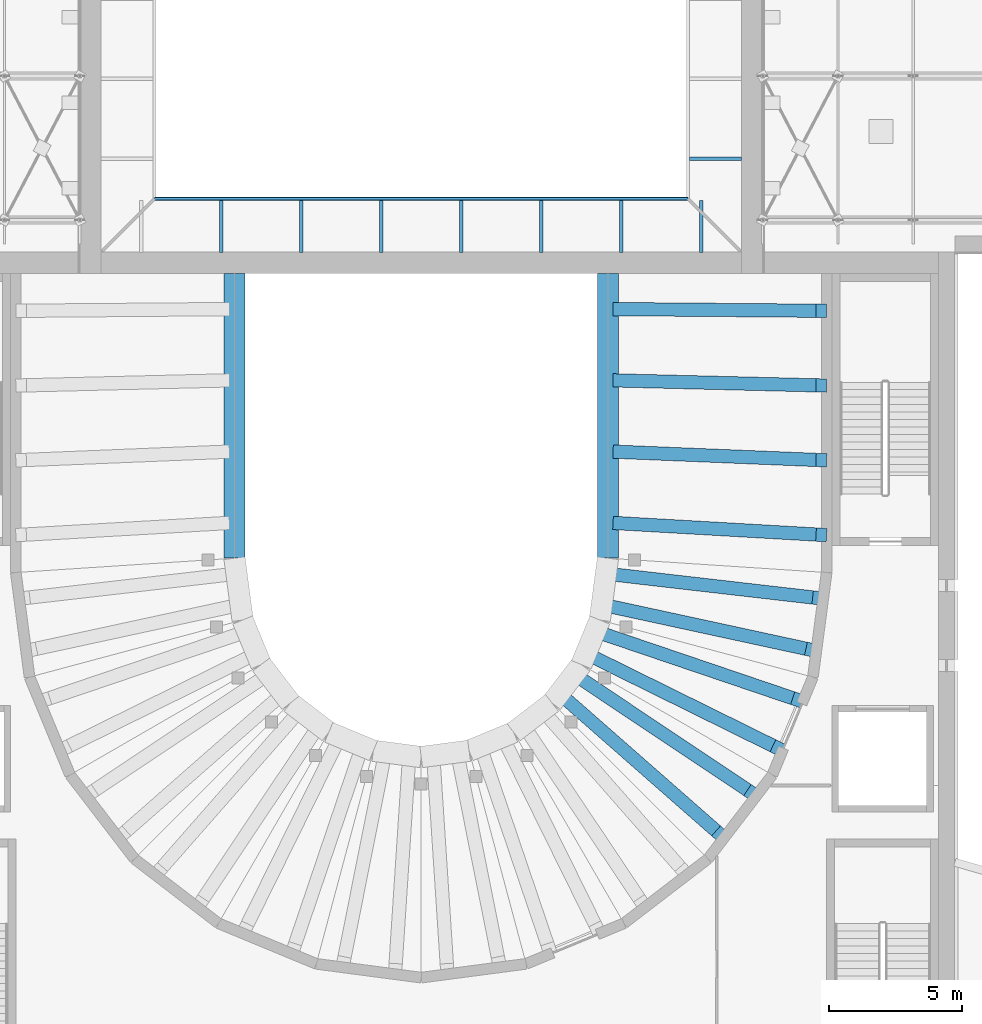
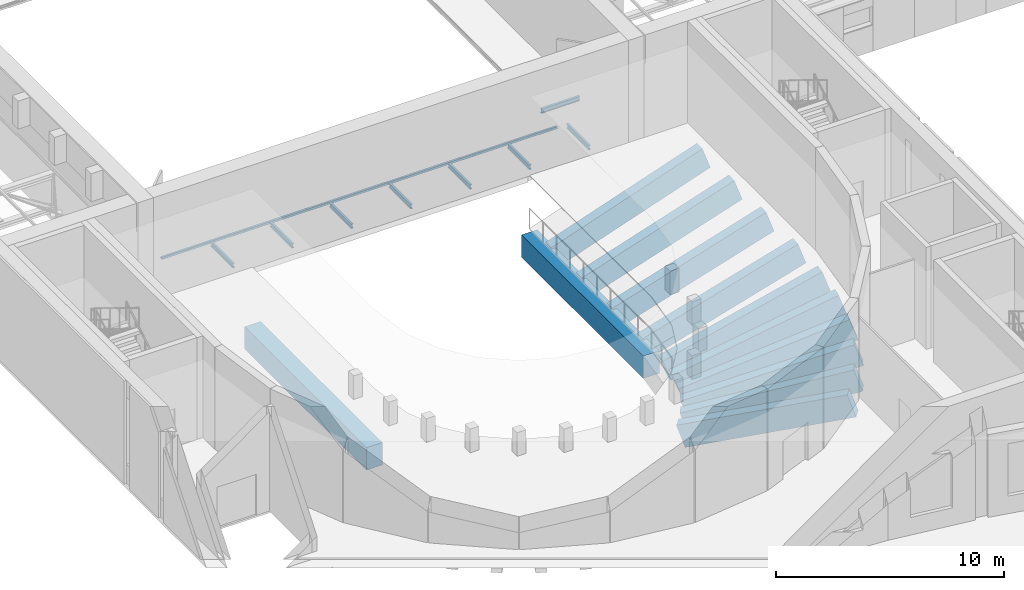
# One storey, part 32 of 132: 12 beams, 9 members.
"""IFC4 building model written with IfcOpenShell, lengths in metres."""

from ifc_helpers import new_model, si_unit, direction, frame, origin, origin_2d, place, context, subcontext, project, spatial, rectangle, hollow_rectangle, i_section, extrude, material, material_profile, profile_set, type_object, element, save


model = new_model("IFC4")

# Units and contexts
model_context = context("Model", 3, precision=1e-05, world=origin(), true_north=direction((0.0, 1.0)))
body_context = subcontext(model_context, "Body", "Model", "MODEL_VIEW")
ifc_project = project(units=[si_unit("LENGTHUNIT", "METRE"), si_unit("AREAUNIT", "SQUARE_METRE"), si_unit("VOLUMEUNIT", "CUBIC_METRE"), si_unit("PLANEANGLEUNIT", "RADIAN"), si_unit("MASSUNIT", "GRAM", prefix="KILO")], contexts=[model_context])

# Site, building, storey
site_placement = place(None, origin())
site = spatial("IfcSite", under=ifc_project, at=site_placement, CompositionType="ELEMENT")
building_placement = place(site_placement, origin())
building = spatial("IfcBuilding", under=site, at=building_placement, Name="Lunette Opera House", CompositionType="ELEMENT")
storey_placement = place(building_placement, frame((0.0, 0.0, 17.0)))
storey = spatial("IfcBuildingStorey", under=building, at=storey_placement, Name="L03", CompositionType="ELEMENT", Elevation=17.0)

# Members
ifc_material_1 = material(Name="Steel S355", Category="steel")
ifc_material_profile_1 = material_profile(ifc_material_1, i_section(OverallWidth=0.1201171875, OverallDepth=0.239990234375, WebThickness=0.006103515625, FlangeThickness=0.009765625, FilletRadius=0.014892578125, at=origin_2d()), Name="IPE 240")
ifc_profile_set_1 = profile_set([ifc_material_profile_1], Name="Steel S355")
member_type_1 = type_object("IfcMemberType", Name="BRACKET IPE 240", PredefinedType="MEMBER", material=ifc_profile_set_1)
for number, where, z_axis, x_axis, name in (
    (1, (88.5, 95.989990234375, -0.179931640625), (0.0, 1.0, 0.0), (-1.0, 0.0, 0.0), "mem-ST-L03-FG2-BKS885-959"),
    (2, (91.5, 95.989990234375, -0.179931640625), (0.0, 1.0, 0.0), (-1.0, 0.0, 0.0), "mem-ST-L03-FG2-BKS915-959"),
    (3, (94.5, 95.989990234375, -0.179931640625), (0.0, 1.0, 0.0), (-1.0, 0.0, 0.0), "mem-ST-L03-FG2-BKS945-959"),
    (4, (97.5, 95.989990234375, -0.179931640625), (0.0, 1.0, 0.0), (-1.0, 0.0, 0.0), "mem-ST-L03-FG2-BKS975-959"),
    (5, (100.5, 95.989990234375, -0.179931640625), (0.0, 1.0, 0.0), (-1.0, 0.0, 0.0), "mem-ST-L03-FG2-BKS1005-959"),
    (6, (103.5, 95.989990234375, -0.179931640625), (0.0, 1.0, 0.0), (-1.0, 0.0, 0.0), "mem-ST-L03-FG2-BKS1035-959"),
    (7, (106.5, 95.989990234375, -0.179931640625), (0.0, 1.0, 0.0), (-1.0, 0.0, 0.0), "mem-ST-L03-FG2-BKS1065-959"),
    (8, (108.010009765625, 99.5, -0.179931640625), (-1.0, 0.0, 0.0), (0.0, -1.0, 0.0), "mem-ST-L03-FG2-BKE1080-995"),
):
    element("IfcMember", number, at=place(storey_placement, frame(where, z_axis=z_axis, x_axis=x_axis)), inside=storey, type_object=member_type_1, Name=name, PredefinedType="MEMBER", context=body_context, shape_type="SweptSolid", body=[
        extrude(i_section(OverallWidth=0.1201171875, OverallDepth=0.239990234375, WebThickness=0.006103515625, FlangeThickness=0.009765625, FilletRadius=0.014892578125, at=origin_2d()), origin(), (0.0, 0.0, 1.0), 1.949951171875),
    ])
ifc_material_2 = material(Name="Steel S355", Category="steel")
ifc_material_profile_2 = material_profile(ifc_material_2, hollow_rectangle(XDim=0.1201171875, YDim=0.1201171875, WallThickness=0.006103515625, InnerFilletRadius=0.006103515625, OuterFilletRadius=0.011962890625, at=origin_2d()), Name="RHS 120X120X6")
ifc_profile_set_2 = profile_set([ifc_material_profile_2], Name="Steel S355")
member_type_2 = type_object("IfcMemberType", Name="EDGE RHS 120X120X6", PredefinedType="MEMBER", material=ifc_profile_set_2)
member_placement = place(storey_placement, frame((86.0, 98.0, -0.1201171875), z_axis=(1.0, 0.0, 0.0), x_axis=(0.0, 1.0, 0.0)))
element("IfcMember", 9, at=member_placement, inside=storey, type_object=member_type_2, Name="mem-ST-L03-FG2-EDS", PredefinedType="MEMBER", context=body_context, shape_type="SweptSolid", body=[
    extrude(hollow_rectangle(XDim=0.1201171875, YDim=0.1201171875, WallThickness=0.006103515625, InnerFilletRadius=0.006103515625, OuterFilletRadius=0.011962890625, at=origin_2d()), origin(), (0.0, 0.0, 1.0), 20.0),
])

# Beams
ifc_material_3 = material(Name="Concrete C35/45", Category="concrete")
ifc_material_profile_3 = material_profile(ifc_material_3, rectangle(XDim=0.5, YDim=1.199951171875, at=origin_2d()), Name="RAKER BEAM 500X1200")
ifc_profile_set_3 = profile_set([ifc_material_profile_3], Name="Concrete C35/45")
beam_type_1 = type_object("IfcBeamType", Name="RAKER BEAM 500X1200", PredefinedType="BEAM", material=ifc_profile_set_3)
beam_1_placement = place(storey_placement, frame((107.202880859375, 74.169921875, -0.8359375), z_axis=(-0.709671493581, 0.622677359628, -0.329604728433), x_axis=(-0.659532693191, -0.751675878695, 0.0)))
element("IfcBeam", 10, at=beam_1_placement, inside=storey, type_object=beam_type_1, Name="beam-AU-L03-RKT2-11-1", PredefinedType="BEAM", context=body_context, shape_type="SweptSolid", body=[
    extrude(rectangle(XDim=0.5, YDim=1.199951171875, at=origin_2d()), origin(), (0.0, 0.0, 1.0), 8.07958984375),
])
beam_2_placement = place(storey_placement, frame((108.39404296875, 75.722900390625, -0.8359375), z_axis=(-0.785123704492, 0.524332450508, -0.329630474909), x_axis=(-0.555372184888, -0.831601909722, 0.0)))
element("IfcBeam", 11, at=beam_2_placement, inside=storey, type_object=beam_type_1, Name="beam-AU-L03-RKT2-11-2", PredefinedType="BEAM", context=body_context, shape_type="SweptSolid", body=[
    extrude(rectangle(XDim=0.5, YDim=1.199951171875, at=origin_2d()), origin(), (0.0, 0.0, 1.0), 8.0791015625),
])
beam_3_placement = place(storey_placement, frame((109.364990234375, 77.404052734375, -0.8359375), z_axis=(-0.846612662052, 0.417852014522, -0.329615980214), x_axis=(-0.442585886382, -0.896726119378, 0.0)))
element("IfcBeam", 12, at=beam_3_placement, inside=storey, type_object=beam_type_1, Name="beam-AU-L03-RKT2-12-1", PredefinedType="BEAM", context=body_context, shape_type="SweptSolid", body=[
    extrude(rectangle(XDim=0.5, YDim=1.199951171875, at=origin_2d()), origin(), (0.0, 0.0, 1.0), 8.079345703125),
])
beam_4_placement = place(storey_placement, frame((110.114013671875, 79.212890625, -0.8359375), z_axis=(-0.894064559344, 0.303289907642, -0.329641920342), x_axis=(-0.321245598019, -0.94699591644, 0.0)))
element("IfcBeam", 13, at=beam_4_placement, inside=storey, type_object=beam_type_1, Name="beam-AU-L03-RKT2-12-2", PredefinedType="BEAM", context=body_context, shape_type="SweptSolid", body=[
    extrude(rectangle(XDim=0.5, YDim=1.199951171875, at=origin_2d()), origin(), (0.0, 0.0, 1.0), 8.07861328125),
])
beam_5_placement = place(storey_placement, frame((110.616943359375, 81.087890625, -0.8349609375), z_axis=(-0.922857266252, 0.199656620103, -0.329350421551), x_axis=(-0.211454118377, -0.977387924942, 0.0)))
element("IfcBeam", 14, at=beam_5_placement, inside=storey, type_object=beam_type_1, Name="beam-AU-L03-RKT2-13-1", PredefinedType="BEAM", context=body_context, shape_type="SweptSolid", body=[
    extrude(rectangle(XDim=0.5, YDim=1.199951171875, at=origin_2d()), origin(), (0.0, 0.0, 1.0), 8.0888671875),
])
beam_6_placement = place(storey_placement, frame((110.8720703125, 83.029052734375, -0.8359375), z_axis=(-0.937689203722, 0.107999269928, -0.330265219057), x_axis=(-0.114419560388, -0.993432516178, 0.0)))
element("IfcBeam", 15, at=beam_6_placement, inside=storey, type_object=beam_type_1, Name="beam-AU-L03-RKT2-13-2", PredefinedType="BEAM", context=body_context, shape_type="SweptSolid", body=[
    extrude(rectangle(XDim=0.5, YDim=1.199951171875, at=origin_2d()), origin(), (0.0, 0.0, 1.0), 8.0634765625),
])
beam_7_placement = place(storey_placement, frame((111.0, 85.39990234375, -0.8359375), z_axis=(-0.94251204128, 0.053996038676, -0.329780957379), x_axis=(-0.057195711049, -0.99836298541, 0.0)))
element("IfcBeam", 16, at=beam_7_placement, inside=storey, type_object=beam_type_1, Name="beam-AU-L03-RKT2-14-1", PredefinedType="BEAM", context=body_context, shape_type="SweptSolid", body=[
    extrude(rectangle(XDim=0.5, YDim=1.199951171875, at=origin_2d()), origin(), (0.0, 0.0, 1.0), 8.075439453125),
])
beam_8_placement = place(storey_placement, frame((111.0, 88.199951171875, -0.8359375), z_axis=(-0.943169850193, 0.038669631021, -0.330053470402), x_axis=(-0.040965230881, -0.99916057261, 0.0)))
element("IfcBeam", 17, at=beam_8_placement, inside=storey, type_object=beam_type_1, Name="beam-AU-L03-RKT2-14-2", PredefinedType="BEAM", context=body_context, shape_type="SweptSolid", body=[
    extrude(rectangle(XDim=0.5, YDim=1.199951171875, at=origin_2d()), origin(), (0.0, 0.0, 1.0), 8.068603515625),
])
beam_9_placement = place(storey_placement, frame((111.0, 91.0, -0.8359375), z_axis=(-0.943622019769, 0.023188683942, -0.330211702918), x_axis=(-0.024566706739, -0.999698192916, 0.0)))
element("IfcBeam", 18, at=beam_9_placement, inside=storey, type_object=beam_type_1, Name="beam-AU-L03-RKT2-14-3", PredefinedType="BEAM", context=body_context, shape_type="SweptSolid", body=[
    extrude(rectangle(XDim=0.5, YDim=1.199951171875, at=origin_2d()), origin(), (0.0, 0.0, 1.0), 8.064697265625),
])
beam_10_placement = place(storey_placement, frame((111.0, 93.800048828125, -0.8359375), z_axis=(-0.943847905495, 0.007691038722, -0.330290749515), x_axis=(-0.008148329141, -0.999966801815, 0.0)))
element("IfcBeam", 19, at=beam_10_placement, inside=storey, type_object=beam_type_1, Name="beam-AU-L03-RKT2-14-4", PredefinedType="BEAM", context=body_context, shape_type="SweptSolid", body=[
    extrude(rectangle(XDim=0.5, YDim=1.199951171875, at=origin_2d()), origin(), (0.0, 0.0, 1.0), 8.062744140625),
])
ifc_material_4 = material(Name="Concrete C40/50", Category="concrete")
ifc_material_profile_4 = material_profile(ifc_material_4, rectangle(XDim=0.800048828125, YDim=1.199951171875, at=origin_2d()), Name="TIER GIRDER 800X1200")
ifc_profile_set_4 = profile_set([ifc_material_profile_4], Name="Concrete C40/50")
beam_type_2 = type_object("IfcBeamType", Name="TIER GIRDER 800X1200", PredefinedType="BEAM", material=ifc_profile_set_4)
for number, where, z_axis, x_axis, name in (
    (20, (89.0, 95.199951171875, -3.60009765625), (0.0, -1.0, 0.0), (1.0, 0.0, 0.0), "beam-AU-L03-TGL03-1"),
    (21, (103.0, 84.52392578125, -3.60009765625), (0.0, 1.0, 0.0), (-1.0, 0.0, 0.0), "beam-AU-L03-TGL03-14"),
):
    element("IfcBeam", number, at=place(storey_placement, frame(where, z_axis=z_axis, x_axis=x_axis)), inside=storey, type_object=beam_type_2, Name=name, PredefinedType="BEAM", context=body_context, shape_type="SweptSolid", body=[
        extrude(rectangle(XDim=0.800048828125, YDim=1.199951171875, at=origin_2d()), origin(), (0.0, 0.0, 1.0), 10.676025390625),
    ])

save(model, "model.ifc")
